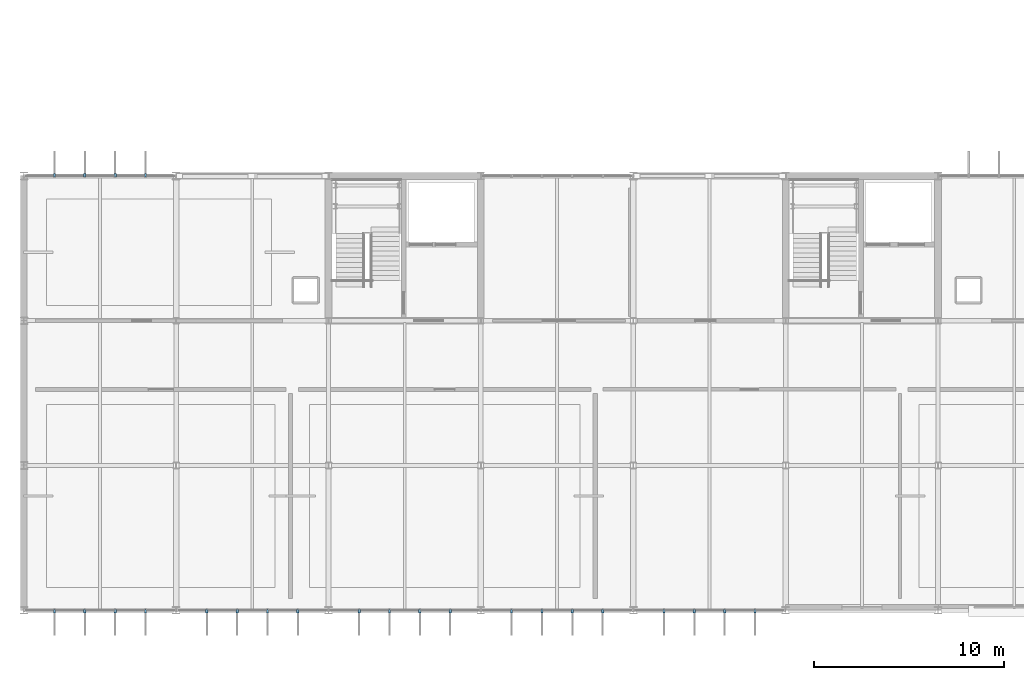
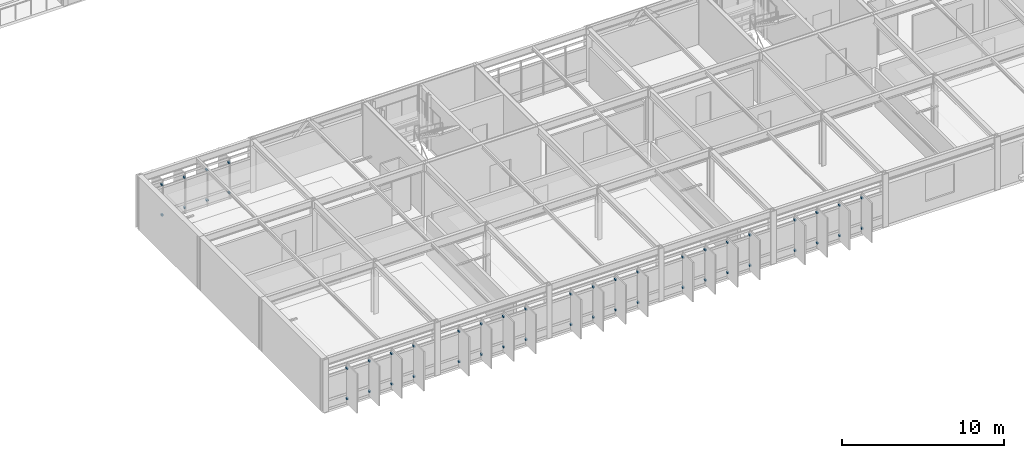
# One storey, part 77 of 85: 48 discrete accessories.
"""IFC4 building model written with IfcOpenShell, lengths in metres."""

from ifc_helpers import new_model, si_unit, direction, frame, origin, origin_2d, place, context, subcontext, project, spatial, rectangle, extrude, material, layer, layer_set, type_object, element, save


model = new_model("IFC4")

# Units and contexts
model_context = context("Model", 3, precision=1e-05, world=origin(), true_north=direction((0.0, 1.0)))
body_context = subcontext(model_context, "Body", "Model", "MODEL_VIEW")
ifc_project = project(units=[si_unit("LENGTHUNIT", "METRE"), si_unit("AREAUNIT", "SQUARE_METRE"), si_unit("VOLUMEUNIT", "CUBIC_METRE"), si_unit("PLANEANGLEUNIT", "RADIAN"), si_unit("MASSUNIT", "GRAM", prefix="KILO")], contexts=[model_context])

# Site, building, storey
site_placement = place(None, origin())
site = spatial("IfcSite", under=ifc_project, at=site_placement, CompositionType="ELEMENT")
building_placement = place(site_placement, origin())
building = spatial("IfcBuilding", under=site, at=building_placement, Name="Zulena Civic Courthouse", CompositionType="ELEMENT")
storey_placement = place(building_placement, frame((0.0, 0.0, 25.199951171875)))
storey = spatial("IfcBuildingStorey", under=building, at=storey_placement, Name="L05", CompositionType="ELEMENT", Elevation=25.199951171875)

# Discrete accessories
ifc_material = material(Name="Gold anodised architectural aluminium AA6063-T6", Category="aluminium")
ifc_layer = layer(ifc_material, 0.1201171875)
ifc_layer_set = layer_set([ifc_layer], Name="Gold anodised architectural aluminium AA6063-T6")
discrete_accessory_type = type_object("IfcDiscreteAccessoryType", Name="FinOutriggerBracket", PredefinedType="BRACKET", material=ifc_layer_set)
for number, where, z_axis, x_axis, name in (
    (1, (5.61083984375, 22.844970703125, 0.340087890625), (0.0, 0.0, 1.0), (0.0, 1.0, 0.0), "brk:V2:L05:1:0:1:25.60"),
    (2, (5.61083984375, 22.844970703125, 2.6298828125), (0.0, 0.0, 1.0), (0.0, 1.0, 0.0), "brk:V2:L05:1:0:1:27.89"),
    (3, (7.20361328125, 22.844970703125, 0.340087890625), (0.0, 0.0, 1.0), (0.0, 1.0, 0.0), "brk:V2:L05:1:0:2:25.60"),
    (4, (7.20361328125, 22.844970703125, 2.6298828125), (0.0, 0.0, 1.0), (0.0, 1.0, 0.0), "brk:V2:L05:1:0:2:27.89"),
    (5, (8.79638671875, 22.844970703125, 0.340087890625), (0.0, 0.0, 1.0), (0.0, 1.0, 0.0), "brk:V2:L05:1:0:3:25.60"),
    (6, (8.79638671875, 22.844970703125, 2.6298828125), (0.0, 0.0, 1.0), (0.0, 1.0, 0.0), "brk:V2:L05:1:0:3:27.89"),
    (7, (10.38916015625, 22.844970703125, 0.340087890625), (0.0, 0.0, 1.0), (0.0, 1.0, 0.0), "brk:V2:L05:1:0:4:25.60"),
    (8, (10.38916015625, 22.844970703125, 2.6298828125), (0.0, 0.0, 1.0), (0.0, 1.0, 0.0), "brk:V2:L05:1:0:4:27.89"),
    (9, (42.38916015625, -0.044921875, 0.340087890625), (0.0, 0.0, 1.0), (0.0, -1.0, 0.0), "brk:V2:L05:3:3:1:25.60"),
    (10, (42.38916015625, -0.044921875, 2.6298828125), (0.0, 0.0, 1.0), (0.0, -1.0, 0.0), "brk:V2:L05:3:3:1:27.89"),
    (11, (40.79638671875, -0.044921875, 0.340087890625), (0.0, 0.0, 1.0), (0.0, -1.0, 0.0), "brk:V2:L05:3:3:2:25.60"),
    (12, (40.79638671875, -0.044921875, 2.6298828125), (0.0, 0.0, 1.0), (0.0, -1.0, 0.0), "brk:V2:L05:3:3:2:27.89"),
    (13, (39.20361328125, -0.044921875, 0.340087890625), (0.0, 0.0, 1.0), (0.0, -1.0, 0.0), "brk:V2:L05:3:3:3:25.60"),
    (14, (39.20361328125, -0.044921875, 2.6298828125), (0.0, 0.0, 1.0), (0.0, -1.0, 0.0), "brk:V2:L05:3:3:3:27.89"),
    (15, (37.61083984375, -0.044921875, 0.340087890625), (0.0, 0.0, 1.0), (0.0, -1.0, 0.0), "brk:V2:L05:3:3:4:25.60"),
    (16, (37.61083984375, -0.044921875, 2.6298828125), (0.0, 0.0, 1.0), (0.0, -1.0, 0.0), "brk:V2:L05:3:3:4:27.89"),
    (17, (34.38916015625, -0.044921875, 0.340087890625), (0.0, 0.0, 1.0), (0.0, -1.0, 0.0), "brk:V2:L05:3:4:1:25.60"),
    (18, (34.38916015625, -0.044921875, 2.6298828125), (0.0, 0.0, 1.0), (0.0, -1.0, 0.0), "brk:V2:L05:3:4:1:27.89"),
    (19, (32.79638671875, -0.044921875, 0.340087890625), (0.0, 0.0, 1.0), (0.0, -1.0, 0.0), "brk:V2:L05:3:4:2:25.60"),
    (20, (32.79638671875, -0.044921875, 2.6298828125), (0.0, 0.0, 1.0), (0.0, -1.0, 0.0), "brk:V2:L05:3:4:2:27.89"),
    (21, (31.20361328125, -0.044921875, 0.340087890625), (0.0, 0.0, 1.0), (0.0, -1.0, 0.0), "brk:V2:L05:3:4:3:25.60"),
    (22, (31.20361328125, -0.044921875, 2.6298828125), (0.0, 0.0, 1.0), (0.0, -1.0, 0.0), "brk:V2:L05:3:4:3:27.89"),
    (23, (29.61083984375, -0.044921875, 0.340087890625), (0.0, 0.0, 1.0), (0.0, -1.0, 0.0), "brk:V2:L05:3:4:4:25.60"),
    (24, (29.61083984375, -0.044921875, 2.6298828125), (0.0, 0.0, 1.0), (0.0, -1.0, 0.0), "brk:V2:L05:3:4:4:27.89"),
    (25, (26.38916015625, -0.044921875, 0.340087890625), (0.0, 0.0, 1.0), (0.0, -1.0, 0.0), "brk:V2:L05:3:5:1:25.60"),
    (26, (26.38916015625, -0.044921875, 2.6298828125), (0.0, 0.0, 1.0), (0.0, -1.0, 0.0), "brk:V2:L05:3:5:1:27.89"),
    (27, (24.79638671875, -0.044921875, 0.340087890625), (0.0, 0.0, 1.0), (0.0, -1.0, 0.0), "brk:V2:L05:3:5:2:25.60"),
    (28, (24.79638671875, -0.044921875, 2.6298828125), (0.0, 0.0, 1.0), (0.0, -1.0, 0.0), "brk:V2:L05:3:5:2:27.89"),
    (29, (23.20361328125, -0.044921875, 0.340087890625), (0.0, 0.0, 1.0), (0.0, -1.0, 0.0), "brk:V2:L05:3:5:3:25.60"),
    (30, (23.20361328125, -0.044921875, 2.6298828125), (0.0, 0.0, 1.0), (0.0, -1.0, 0.0), "brk:V2:L05:3:5:3:27.89"),
    (31, (21.61083984375, -0.044921875, 0.340087890625), (0.0, 0.0, 1.0), (0.0, -1.0, 0.0), "brk:V2:L05:3:5:4:25.60"),
    (32, (21.61083984375, -0.044921875, 2.6298828125), (0.0, 0.0, 1.0), (0.0, -1.0, 0.0), "brk:V2:L05:3:5:4:27.89"),
    (33, (18.38916015625, -0.044921875, 0.340087890625), (0.0, 0.0, 1.0), (0.0, -1.0, 0.0), "brk:V2:L05:3:6:1:25.60"),
    (34, (18.38916015625, -0.044921875, 2.6298828125), (0.0, 0.0, 1.0), (0.0, -1.0, 0.0), "brk:V2:L05:3:6:1:27.89"),
    (35, (16.79638671875, -0.044921875, 0.340087890625), (0.0, 0.0, 1.0), (0.0, -1.0, 0.0), "brk:V2:L05:3:6:2:25.60"),
    (36, (16.79638671875, -0.044921875, 2.6298828125), (0.0, 0.0, 1.0), (0.0, -1.0, 0.0), "brk:V2:L05:3:6:2:27.89"),
    (37, (15.20361328125, -0.044921875, 0.340087890625), (0.0, 0.0, 1.0), (0.0, -1.0, 0.0), "brk:V2:L05:3:6:3:25.60"),
    (38, (15.20361328125, -0.044921875, 2.6298828125), (0.0, 0.0, 1.0), (0.0, -1.0, 0.0), "brk:V2:L05:3:6:3:27.89"),
    (39, (13.61083984375, -0.044921875, 0.340087890625), (0.0, 0.0, 1.0), (0.0, -1.0, 0.0), "brk:V2:L05:3:6:4:25.60"),
    (40, (13.61083984375, -0.044921875, 2.6298828125), (0.0, 0.0, 1.0), (0.0, -1.0, 0.0), "brk:V2:L05:3:6:4:27.89"),
    (41, (10.38916015625, -0.044921875, 0.340087890625), (0.0, 0.0, 1.0), (0.0, -1.0, 0.0), "brk:V2:L05:3:7:1:25.60"),
    (42, (10.38916015625, -0.044921875, 2.6298828125), (0.0, 0.0, 1.0), (0.0, -1.0, 0.0), "brk:V2:L05:3:7:1:27.89"),
    (43, (8.79638671875, -0.044921875, 0.340087890625), (0.0, 0.0, 1.0), (0.0, -1.0, 0.0), "brk:V2:L05:3:7:2:25.60"),
    (44, (8.79638671875, -0.044921875, 2.6298828125), (0.0, 0.0, 1.0), (0.0, -1.0, 0.0), "brk:V2:L05:3:7:2:27.89"),
    (45, (7.20361328125, -0.044921875, 0.340087890625), (0.0, 0.0, 1.0), (0.0, -1.0, 0.0), "brk:V2:L05:3:7:3:25.60"),
    (46, (7.20361328125, -0.044921875, 2.6298828125), (0.0, 0.0, 1.0), (0.0, -1.0, 0.0), "brk:V2:L05:3:7:3:27.89"),
    (47, (5.61083984375, -0.044921875, 0.340087890625), (0.0, 0.0, 1.0), (0.0, -1.0, 0.0), "brk:V2:L05:3:7:4:25.60"),
    (48, (5.61083984375, -0.044921875, 2.6298828125), (0.0, 0.0, 1.0), (0.0, -1.0, 0.0), "brk:V2:L05:3:7:4:27.89"),
):
    element("IfcDiscreteAccessory", number, at=place(storey_placement, frame(where, z_axis=z_axis, x_axis=x_axis)), inside=storey, type_object=discrete_accessory_type, Name=name, PredefinedType="BRACKET", context=body_context, shape_type="SweptSolid", body=[
        extrude(rectangle(XDim=0.179931640625, YDim=0.1201171875, at=origin_2d()), origin(), (0.0, 0.0, 1.0), 0.1201171875),
    ])

save(model, "model.ifc")
